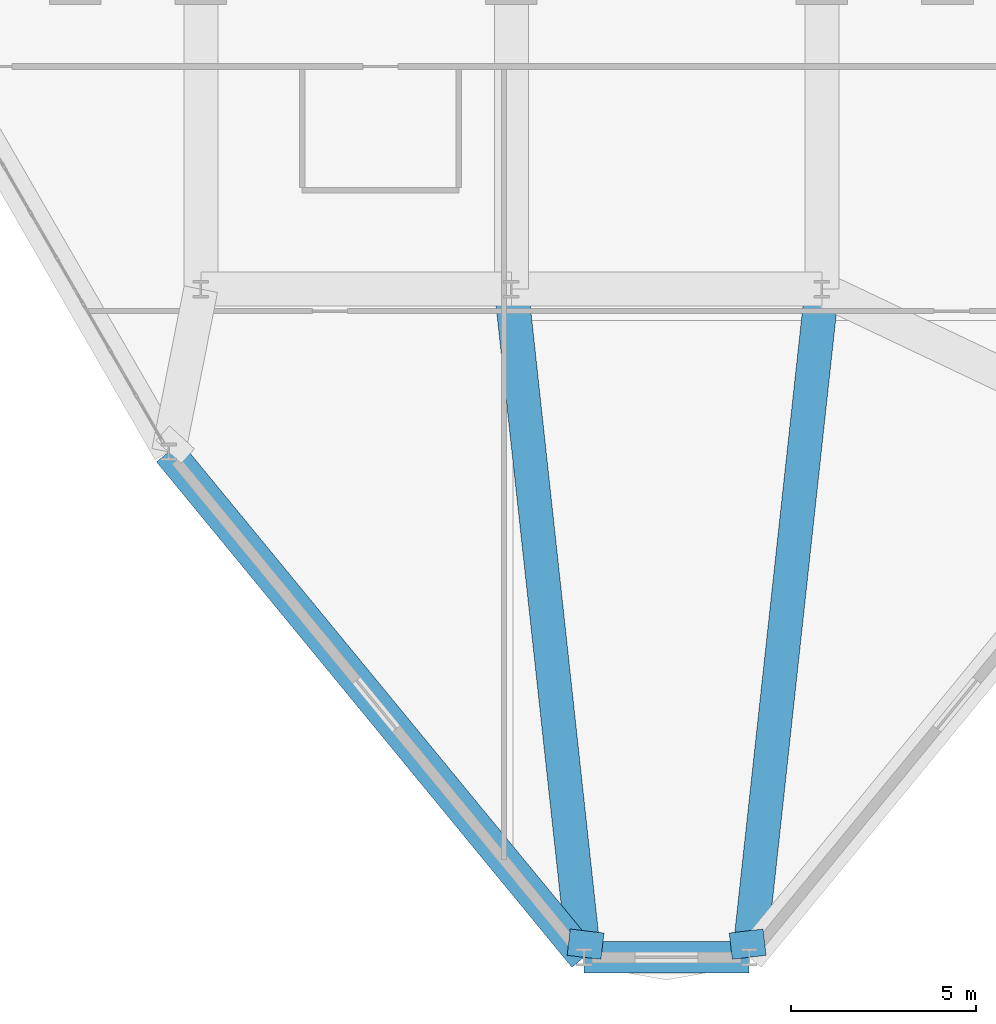
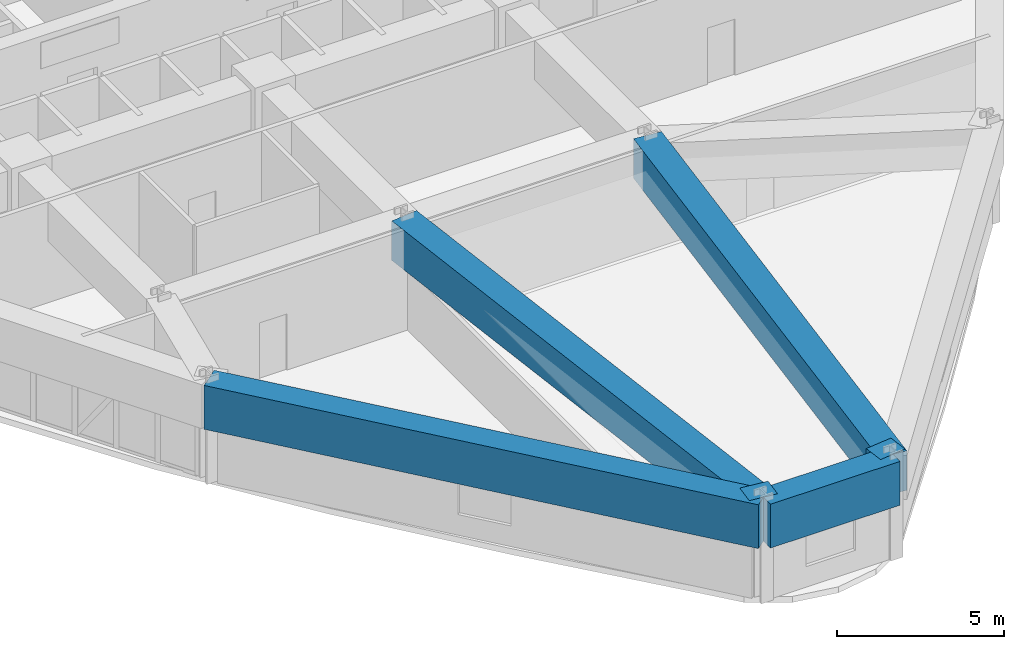
# One storey, part 3 of 17: 6 beams.
"""IFC4 building model written with IfcOpenShell, lengths in metres."""

from ifc_helpers import new_model, si_unit, derived_unit, direction, frame, origin, origin_2d, place, context, subcontext, project, spatial, rectangle, extrude, source, transform, mapped, material, material_profile, profile_set, type_object, element, save


model = new_model("IFC4")

# Units and contexts
model_context = context("Model", 3, precision=1e-05, world=origin(), true_north=direction((0.0, 1.0)))
body_context = subcontext(model_context, "Body", "Model", "MODEL_VIEW")
ifc_project = project(units=[si_unit("LENGTHUNIT", "METRE"), si_unit("AREAUNIT", "SQUARE_METRE"), si_unit("VOLUMEUNIT", "CUBIC_METRE"), si_unit("PLANEANGLEUNIT", "RADIAN"), si_unit("MASSUNIT", "GRAM", prefix="KILO"), derived_unit("THERMALTRANSMITTANCEUNIT", [(si_unit("POWERUNIT", "WATT"), 1), (si_unit("LENGTHUNIT", "METRE"), -2), (si_unit("THERMODYNAMICTEMPERATUREUNIT", "KELVIN"), -1)])], contexts=[model_context])

# Site, building, storey
site_placement = place(None, origin())
site = spatial("IfcSite", under=ifc_project, at=site_placement, CompositionType="ELEMENT")
building_placement = place(site_placement, origin())
building = spatial("IfcBuilding", under=site, at=building_placement, Name="Korsvarv Bourse and Concert Hall", CompositionType="ELEMENT")
storey_placement = place(building_placement, frame((0.0, 0.0, 83.39990234375)))
storey = spatial("IfcBuildingStorey", under=building, at=storey_placement, Name="L20", CompositionType="ELEMENT", Elevation=83.39990234375)

# Beams
ifc_material_1 = material(Name="Concrete C55/67", Category="concrete")
ifc_material_profile_1 = material_profile(ifc_material_1, rectangle(XDim=0.85009765625, YDim=1.60009765625, at=origin_2d()), Name="RC-BM 850x1600")
ifc_profile_set_1 = profile_set([ifc_material_profile_1], Name="Concrete C55/67")
beam_type_1 = type_object("IfcBeamType", Name="BM-TR1B", PredefinedType="BEAM", material=ifc_profile_set_1)
shared_shape_1 = source(origin(), body_context, "Body", "SweptSolid", [
    extrude(rectangle(XDim=0.85009765625, YDim=1.60009765625, at=origin_2d()), origin(), (0.0, 0.0, 1.0), 17.69775390625),
])
beam_1_placement = place(storey_placement, frame((26.728515625, 19.59814453125, 2.880126953125), z_axis=(0.634956504164, -0.772547887073, 0.0), x_axis=(0.772547887073, 0.634956504164, 0.0)))
element("IfcBeam", 1, at=beam_1_placement, inside=storey, type_object=beam_type_1, Name="L20 beam B-TR2", PredefinedType="BEAM", context=body_context, shape_type="MappedRepresentation", body=[
    mapped(shared_shape_1, transform((0.0, 0.0, 0.0), scale=1.0)),
])
shared_shape_2 = source(origin(), body_context, "Body", "SweptSolid", [
    extrude(rectangle(XDim=0.85009765625, YDim=1.60009765625, at=origin_2d()), origin(), (0.0, 0.0, 1.0), 4.46826171875),
])
beam_2_placement = place(storey_placement, frame((37.9658203125, 5.92578125, 2.880126953125), z_axis=(1.0, 0.0, 0.0), x_axis=(0.0, 1.0, 0.0)))
element("IfcBeam", 2, at=beam_2_placement, inside=storey, type_object=beam_type_1, Name="L20 beam B-TR2", PredefinedType="BEAM", context=body_context, shape_type="MappedRepresentation", body=[
    mapped(shared_shape_2, transform((0.0, 0.0, 0.0), scale=1.0)),
])
ifc_material_2 = material(Name="Concrete C50/60", Category="concrete")
ifc_material_profile_2 = material_profile(ifc_material_2, rectangle(XDim=0.919921875, YDim=1.43994140625, at=origin_2d()), Name="RC-BM 920x1440")
ifc_profile_set_2 = profile_set([ifc_material_profile_2], Name="Concrete C50/60")
beam_type_2 = type_object("IfcBeamType", Name="BM-TR-144", PredefinedType="BEAM", material=ifc_profile_set_2)
shared_shape_3 = source(origin(), body_context, "Body", "SweptSolid", [
    extrude(rectangle(XDim=0.919921875, YDim=1.43994140625, at=origin_2d()), origin(), (0.0, 0.0, 1.0), 18.180908203125),
])
for number, where, z_axis, x_axis, name in (
    (3, (37.9658203125, 5.92578125, 2.960205078125), (-0.108126115942, 0.994137185227, 0.0), (-0.994137185227, -0.108126115942, 0.0), "L20 beam B-TR4"),
    (4, (42.43408203125, 5.92578125, 2.960205078125), (0.108126115942, 0.994137185227, 0.0), (-0.994137185227, 0.108126115942, 0.0), "L20 beam B-TR4"),
):
    element("IfcBeam", number, at=place(storey_placement, frame(where, z_axis=z_axis, x_axis=x_axis)), inside=storey, type_object=beam_type_2, Name=name, PredefinedType="BEAM", context=body_context, shape_type="MappedRepresentation", body=[
        mapped(shared_shape_3, transform((0.0, 0.0, 0.0), scale=1.0)),
    ])
shared_shape_4 = source(origin(), body_context, "Body", "SweptSolid", [
    extrude(rectangle(XDim=0.919921875, YDim=1.43994140625, at=origin_2d()), origin(), (0.0, 0.0, 1.0), 0.71533203125),
])
for number, where, z_axis, x_axis, name in (
    (5, (37.9658203125, 5.92578125, 2.960205078125), (0.117059058307, 0.993124955314, 0.0), (-0.993124955314, 0.117059058307, 0.0), "L20 beam B-TR4"),
    (6, (42.43408203125, 5.92578125, 2.960205078125), (-0.116722434601, 0.993164575114, 0.0), (-0.993164575114, -0.116722434601, 0.0), "L20 beam B-TR4"),
):
    element("IfcBeam", number, at=place(storey_placement, frame(where, z_axis=z_axis, x_axis=x_axis)), inside=storey, type_object=beam_type_2, Name=name, PredefinedType="BEAM", context=body_context, shape_type="MappedRepresentation", body=[
        mapped(shared_shape_4, transform((0.0, 0.0, 0.0), scale=1.0)),
    ])

save(model, "model.ifc")
